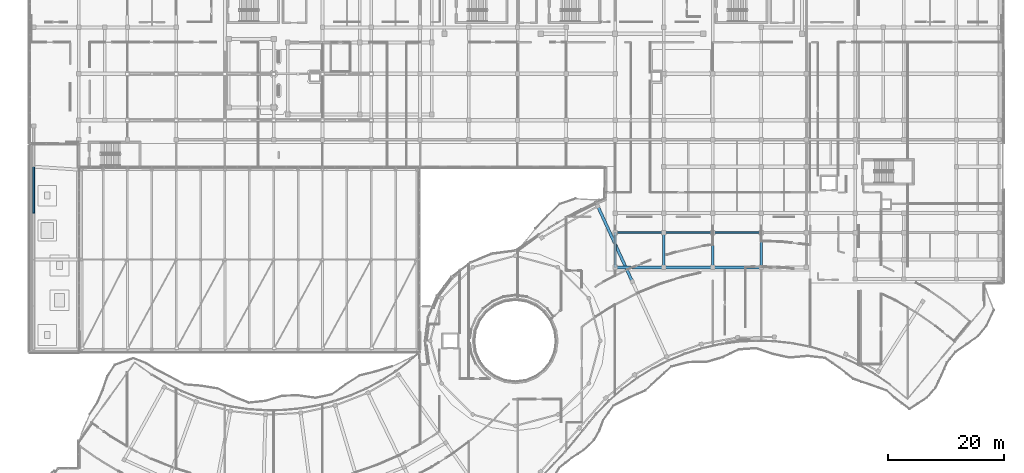
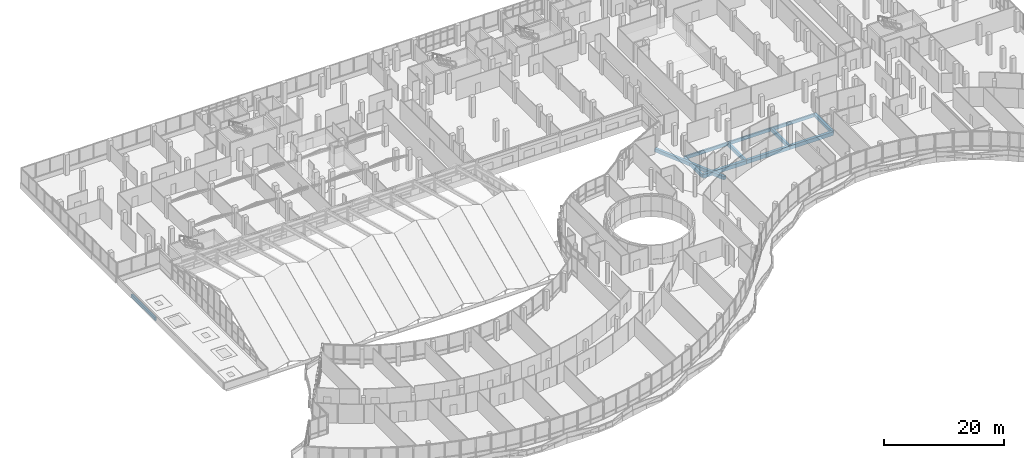
# One storey, part 70 of 184: 12 beams.
"""IFC4 building model written with IfcOpenShell, lengths in metres."""

from ifc_helpers import new_model, si_unit, direction, frame, origin, origin_2d, place, context, subcontext, project, spatial, rectangle, extrude, material, material_profile, profile_set, type_object, element, save


model = new_model("IFC4")

# Units and contexts
model_context = context("Model", 3, precision=1e-05, world=origin(), true_north=direction((0.0, 1.0)))
body_context = subcontext(model_context, "Body", "Model", "MODEL_VIEW")
ifc_project = project(units=[si_unit("LENGTHUNIT", "METRE"), si_unit("AREAUNIT", "SQUARE_METRE"), si_unit("VOLUMEUNIT", "CUBIC_METRE"), si_unit("PLANEANGLEUNIT", "RADIAN"), si_unit("MASSUNIT", "GRAM", prefix="KILO")], contexts=[model_context])

# Site, building, storey
site_placement = place(None, origin())
site = spatial("IfcSite", under=ifc_project, at=site_placement, CompositionType="ELEMENT")
building_placement = place(site_placement, origin())
building = spatial("IfcBuilding", under=site, at=building_placement, Name="Selatvlak General Hospital", CompositionType="ELEMENT")
storey_placement = place(building_placement, frame((0.0, 0.0, 15.0)))
storey = spatial("IfcBuildingStorey", under=building, at=storey_placement, Name="L03", CompositionType="ELEMENT", Elevation=15.0)

# Beams
ifc_material = material(Name="Concrete C40/50", Category="concrete")
ifc_material_profile_1 = material_profile(ifc_material, rectangle(XDim=0.550048828125, YDim=0.75, at=origin_2d()), Name="RC-BM 550x750")
ifc_profile_set_1 = profile_set([ifc_material_profile_1], Name="Concrete C40/50")
beam_type_1 = type_object("IfcBeamType", Name="BM-G02", PredefinedType="BEAM", material=ifc_profile_set_1)
beam_1_placement = place(storey_placement, frame((115.199951171875, 66.64990234375, -0.715087890625), z_axis=(1.0, 0.0, 0.0), x_axis=(0.0, 1.0, 0.0)))
element("IfcBeam", 1, at=beam_1_placement, inside=storey, type_object=beam_type_1, Name="Beam BMR-L03-1157", PredefinedType="BEAM", context=body_context, shape_type="SweptSolid", body=[
    extrude(rectangle(XDim=0.550048828125, YDim=0.75, at=origin_2d()), origin(), (0.0, 0.0, 1.0), 8.400146484375),
])
for number, where, z_axis, x_axis, name in (
    (2, (123.60009765625, 66.64990234375, -0.715087890625), (1.0, 0.0, 0.0), (0.0, 1.0, 0.0), "Beam BMR-L03-1158"),
    (3, (132.0, 66.64990234375, -0.715087890625), (1.0, 0.0, 0.0), (0.0, 1.0, 0.0), "Beam BMR-L03-1159"),
):
    element("IfcBeam", number, at=place(storey_placement, frame(where, z_axis=z_axis, x_axis=x_axis)), inside=storey, type_object=beam_type_1, Name=name, PredefinedType="BEAM", context=body_context, shape_type="SweptSolid", body=[
        extrude(rectangle(XDim=0.550048828125, YDim=0.75, at=origin_2d()), origin(), (0.0, 0.0, 1.0), 8.39990234375),
    ])
ifc_material_profile_2 = material_profile(ifc_material, rectangle(XDim=0.5, YDim=0.699951171875, at=origin_2d()), Name="RC-BM 500x700")
ifc_profile_set_2 = profile_set([ifc_material_profile_2], Name="Concrete C40/50")
beam_type_2 = type_object("IfcBeamType", Name="BM-G03", PredefinedType="BEAM", material=ifc_profile_set_2)
beam_2_placement = place(storey_placement, frame((112.221923828125, 77.195068359375, -0.68994140625), z_axis=(0.416220472097, -0.909263723354, 0.0), x_axis=(0.909263723354, 0.416220472097, 0.0)))
element("IfcBeam", 4, at=beam_2_placement, inside=storey, type_object=beam_type_2, Name="Beam BMR-L03-1473", PredefinedType="BEAM", context=body_context, shape_type="SweptSolid", body=[
    extrude(rectangle(XDim=0.5, YDim=0.699951171875, at=origin_2d()), origin(), (0.0, 0.0, 1.0), 14.25),
])
ifc_material_profile_3 = material_profile(ifc_material, rectangle(XDim=0.449951171875, YDim=0.64990234375, at=origin_2d()), Name="RC-BM 450x650")
ifc_profile_set_3 = profile_set([ifc_material_profile_3], Name="Concrete C40/50")
beam_type_3 = type_object("IfcBeamType", Name="BM-G04", PredefinedType="BEAM", material=ifc_profile_set_3)
for number, where, z_axis, x_axis, name in (
    (5, (115.199951171875, 66.64990234375, -0.6650390625), (0.0, 1.0, 0.0), (-1.0, 0.0, 0.0), "Beam BMR-L03-1352"),
    (6, (123.60009765625, 66.64990234375, -0.6650390625), (0.0, 1.0, 0.0), (-1.0, 0.0, 0.0), "Beam BMR-L03-1359"),
    (7, (132.0, 66.64990234375, -0.6650390625), (0.0, 1.0, 0.0), (-1.0, 0.0, 0.0), "Beam BMR-L03-1368"),
    (8, (140.39990234375, 66.64990234375, -0.6650390625), (0.0, 1.0, 0.0), (-1.0, 0.0, 0.0), "Beam BMR-L03-1376"),
):
    element("IfcBeam", number, at=place(storey_placement, frame(where, z_axis=z_axis, x_axis=x_axis)), inside=storey, type_object=beam_type_3, Name=name, PredefinedType="BEAM", context=body_context, shape_type="SweptSolid", body=[
        extrude(rectangle(XDim=0.449951171875, YDim=0.64990234375, at=origin_2d()), origin(), (0.0, 0.0, 1.0), 6.0),
    ])
ifc_material_profile_4 = material_profile(ifc_material, rectangle(XDim=0.300048828125, YDim=0.64990234375, at=origin_2d()), Name="RC-SP 300x650")
ifc_profile_set_4 = profile_set([ifc_material_profile_4], Name="Concrete C40/50")
beam_type_4 = type_object("IfcBeamType", Name="BM-SP1", PredefinedType="SPANDREL", material=ifc_profile_set_4)
beam_3_placement = place(storey_placement, frame((115.199951171875, 72.64990234375, -0.6650390625), z_axis=(1.0, 0.0, 0.0), x_axis=(0.0, 1.0, 0.0)))
element("IfcBeam", 9, at=beam_3_placement, inside=storey, type_object=beam_type_4, Name="Beam BMR-L03-1164", PredefinedType="SPANDREL", context=body_context, shape_type="SweptSolid", body=[
    extrude(rectangle(XDim=0.300048828125, YDim=0.64990234375, at=origin_2d()), origin(), (0.0, 0.0, 1.0), 8.400146484375),
])
for number, where, z_axis, x_axis, name in (
    (10, (123.60009765625, 72.64990234375, -0.6650390625), (1.0, 0.0, 0.0), (0.0, 1.0, 0.0), "Beam BMR-L03-1165"),
    (11, (132.0, 72.64990234375, -0.6650390625), (1.0, 0.0, 0.0), (0.0, 1.0, 0.0), "Beam BMR-L03-1166"),
):
    element("IfcBeam", number, at=place(storey_placement, frame(where, z_axis=z_axis, x_axis=x_axis)), inside=storey, type_object=beam_type_4, Name=name, PredefinedType="SPANDREL", context=body_context, shape_type="SweptSolid", body=[
        extrude(rectangle(XDim=0.300048828125, YDim=0.64990234375, at=origin_2d()), origin(), (0.0, 0.0, 1.0), 8.39990234375),
    ])
beam_4_placement = place(storey_placement, frame((15.050048828125, 76.0, -0.5849609375), z_axis=(0.0, 1.0, 0.0), x_axis=(-1.0, 0.0, 0.0)))
element("IfcBeam", 12, at=beam_4_placement, inside=storey, type_object=beam_type_4, Name="Beam BMR-L03-1294", PredefinedType="SPANDREL", context=body_context, shape_type="SweptSolid", body=[
    extrude(rectangle(XDim=0.300048828125, YDim=0.64990234375, at=origin_2d()), origin(), (0.0, 0.0, 1.0), 8.0),
])

save(model, "model.ifc")
